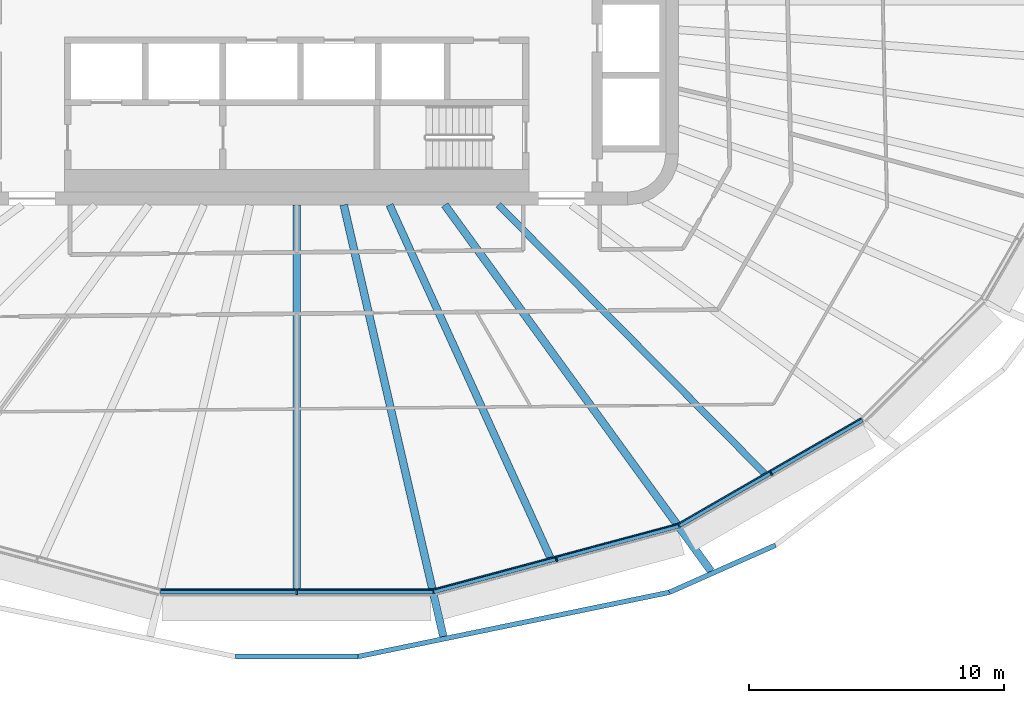
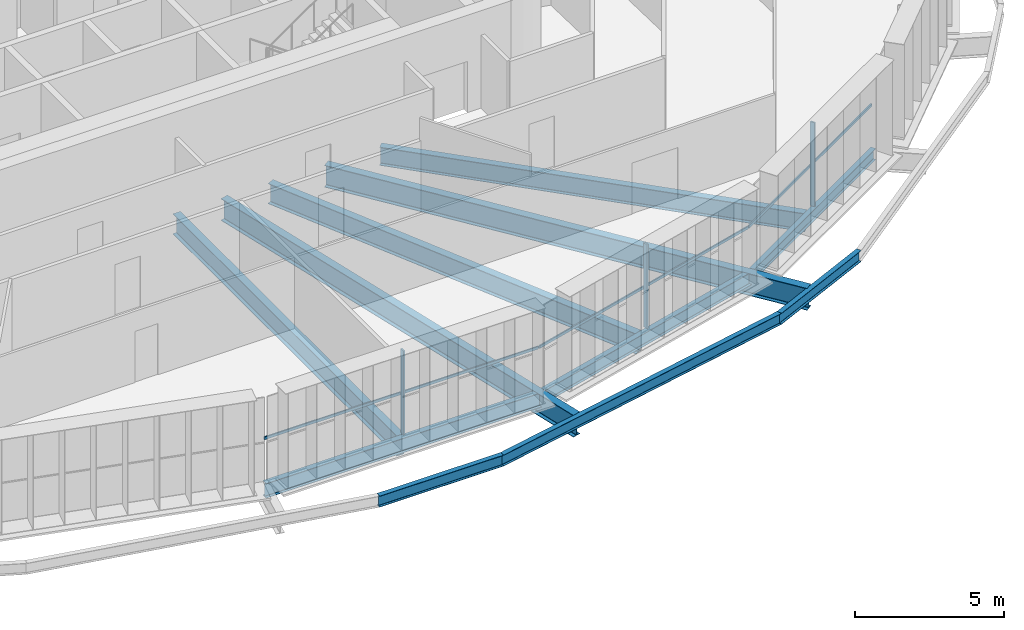
# One storey, part 3 of 22: 11 beams, 6 members, 3 elements without a shape of their own.
"""IFC4 building model written with IfcOpenShell, lengths in metres."""

from ifc_helpers import new_model, si_unit, direction, frame, origin, origin_2d, place, context, subcontext, project, spatial, rectangle, i_section, extrude, material, layer, layer_set, material_profile, profile_set, type_object, element, aggregate, save


model = new_model("IFC4")

# Units and contexts
model_context = context("Model", 3, precision=1e-05, world=origin(), true_north=direction((0.0, 1.0)))
body_context = subcontext(model_context, "Body", "Model", "MODEL_VIEW")
ifc_project = project(units=[si_unit("LENGTHUNIT", "METRE"), si_unit("AREAUNIT", "SQUARE_METRE"), si_unit("VOLUMEUNIT", "CUBIC_METRE"), si_unit("PLANEANGLEUNIT", "RADIAN"), si_unit("MASSUNIT", "GRAM", prefix="KILO")], contexts=[model_context])

# Site, building, storey
site_placement = place(None, origin())
site = spatial("IfcSite", under=ifc_project, at=site_placement, CompositionType="ELEMENT")
building_placement = place(site_placement, origin())
building = spatial("IfcBuilding", under=site, at=building_placement, Name="Sahrelin Media Tower", CompositionType="ELEMENT")
storey_placement = place(building_placement, frame((0.0, 0.0, 177.60009765625)))
storey = spatial("IfcBuildingStorey", under=building, at=storey_placement, Name="L37", CompositionType="ELEMENT", Elevation=177.60009765625)

# Beams
ifc_material_1 = material(Name="Steel S355", Category="steel")
ifc_material_profile_1 = material_profile(ifc_material_1, i_section(OverallWidth=0.1904296875, OverallDepth=0.45703125, WebThickness=0.009033203125, FlangeThickness=0.014404296875, FilletRadius=0.01025390625, at=origin_2d()), Name="UB 457x191x74")
ifc_profile_set_1 = profile_set([ifc_material_profile_1], Name="Steel S355")
beam_type_1 = type_object("IfcBeamType", Name="Edge beam EB5", PredefinedType="BEAM", material=ifc_profile_set_1)
beam_1_placement = place(storey_placement, frame((22.209716796875, -16.43310546875, -0.378662109375), z_axis=(-0.866025877972, -0.499999178681, 0.0), x_axis=(0.499999178681, -0.866025877972, 0.0)))
element("IfcBeam", 1, at=beam_1_placement, inside=storey, type_object=beam_type_1, Name="Edge beam L37-05", PredefinedType="BEAM", context=body_context, shape_type="SweptSolid", body=[
    extrude(i_section(OverallWidth=0.1904296875, OverallDepth=0.45703125, WebThickness=0.009033203125, FlangeThickness=0.014404296875, FilletRadius=0.01025390625, at=origin_2d()), origin(), (0.0, 0.0, 1.0), 8.298828125),
])
ifc_material_profile_2 = material_profile(ifc_material_1, i_section(OverallWidth=0.208740234375, OverallDepth=0.5283203125, WebThickness=0.009521484375, FlangeThickness=0.01318359375, FilletRadius=0.0126953125, at=origin_2d()), Name="UB 533x210x82")
ifc_profile_set_2 = profile_set([ifc_material_profile_2], Name="Steel S355")
beam_type_2 = type_object("IfcBeamType", Name="Edge beam EB6", PredefinedType="BEAM", material=ifc_profile_set_2)
beam_2_placement = place(storey_placement, frame((14.99609375, -20.593505859375, -0.414306640625), z_axis=(-0.96592704093, -0.258814511957, 0.0), x_axis=(0.258814511957, -0.96592704093, 0.0)))
element("IfcBeam", 2, at=beam_2_placement, inside=storey, type_object=beam_type_2, Name="Edge beam L37-06", PredefinedType="BEAM", context=body_context, shape_type="SweptSolid", body=[
    extrude(i_section(OverallWidth=0.208740234375, OverallDepth=0.5283203125, WebThickness=0.009521484375, FlangeThickness=0.01318359375, FilletRadius=0.0126953125, at=origin_2d()), origin(), (0.0, 0.0, 1.0), 9.95849609375),
])
ifc_material_profile_3 = material_profile(ifc_material_1, i_section(OverallWidth=0.2275390625, OverallDepth=0.6025390625, WebThickness=0.010498046875, FlangeThickness=0.014892578125, FilletRadius=0.0126953125, at=origin_2d()), Name="UB 610x229x101")
ifc_profile_set_3 = profile_set([ifc_material_profile_3], Name="Steel S355")
beam_type_3 = type_object("IfcBeamType", Name="Edge beam EB7", PredefinedType="BEAM", material=ifc_profile_set_3)
beam_3_placement = place(storey_placement, frame((5.348388671875, -23.1748046875, -0.451416015625), z_axis=(-1.0, 0.0, 0.0), x_axis=(0.0, -1.0, 0.0)))
element("IfcBeam", 3, at=beam_3_placement, inside=storey, type_object=beam_type_3, Name="Edge beam L37-07", PredefinedType="BEAM", context=body_context, shape_type="SweptSolid", body=[
    extrude(i_section(OverallWidth=0.2275390625, OverallDepth=0.6025390625, WebThickness=0.010498046875, FlangeThickness=0.014892578125, FilletRadius=0.0126953125, at=origin_2d()), origin(), (0.0, 0.0, 1.0), 10.69677734375),
])

# Curtain wall, member
ifc_material_2 = material(Name="Champagne anodised aluminium 6063-T6", Category="aluminium")
ifc_layer = layer(ifc_material_2, 0.14990234375)
ifc_layer_set = layer_set([ifc_layer], Name="Tower ribbon curtain wall")
curtain_wall_type = type_object("IfcCurtainWallType", Name="Tower ribbon curtain wall", PredefinedType="NOTDEFINED", material=ifc_layer_set)
curtain_wall_1_placement = place(storey_placement, frame((0.0, -23.32470703125, 0.0), z_axis=(0.0, 0.0, 1.0), x_axis=(1.0, 0.0, 0.0)))
curtain_wall_1 = element("IfcCurtainWall", 4, at=curtain_wall_1_placement, inside=storey, type_object=curtain_wall_type, Name="L37:CW:L37-18", PredefinedType="NOTDEFINED")
ifc_material_profile_4 = material_profile(ifc_material_2, rectangle(XDim=0.06005859375, YDim=0.175048828125, at=origin_2d()), Name="Mullion 60x175")
ifc_profile_set_4 = profile_set([ifc_material_profile_4], Name="Champagne anodised aluminium 6063-T6")
member_type_1 = type_object("IfcMemberType", Name="Mullion 60x175 CW1B", PredefinedType="MULLION", material=ifc_profile_set_4)
member_1_placement = place(storey_placement, frame((0.0, -23.21728515625, 0.0), z_axis=(0.0, 0.0, 1.0), x_axis=(1.0, 0.0, 0.0)))
member_1 = element("IfcMember", 5, at=member_1_placement, type_object=member_type_1, Name="L37:CWM:L37-18", PredefinedType="MULLION", context=body_context, shape_type="SweptSolid", body=[
    extrude(rectangle(XDim=0.06005859375, YDim=0.175048828125, at=origin_2d()), origin(), (0.0, 0.0, 1.0), 3.448486328125),
])

curtain_wall_2_placement = place(storey_placement, frame((10.22509765625, -22.027099609375, 0.0), z_axis=(0.0, 0.0, 1.0), x_axis=(1.0, 0.0, 0.0)))
curtain_wall_2 = element("IfcCurtainWall", 6, at=curtain_wall_2_placement, inside=storey, type_object=curtain_wall_type, Name="L37:CW:L37-19", PredefinedType="NOTDEFINED")
member_2_placement = place(storey_placement, frame((10.197509765625, -21.92333984375, 0.0), z_axis=(0.0, 0.0, 1.0), x_axis=(0.965927633163, 0.258812301662, 0.0)))
member_2 = element("IfcMember", 7, at=member_2_placement, type_object=member_type_1, Name="L37:CWM:L37-19", PredefinedType="MULLION", context=body_context, shape_type="SweptSolid", body=[
    extrude(rectangle(XDim=0.06005859375, YDim=0.175048828125, at=origin_2d()), origin(), (0.0, 0.0, 1.0), 3.448486328125),
])

curtain_wall_3_placement = place(storey_placement, frame((18.691162109375, -18.6376953125, 0.0), z_axis=(0.0, 0.0, 1.0), x_axis=(1.0, 0.0, 0.0)))
curtain_wall_3 = element("IfcCurtainWall", 8, at=curtain_wall_3_placement, inside=storey, type_object=curtain_wall_type, Name="L37:CW:L37-20", PredefinedType="NOTDEFINED")
member_3_placement = place(storey_placement, frame((18.637451171875, -18.544677734375, 0.0), z_axis=(0.0, 0.0, 1.0), x_axis=(0.866027149108, 0.499996976998, 0.0)))
member_3 = element("IfcMember", 9, at=member_3_placement, type_object=member_type_1, Name="L37:CWM:L37-20", PredefinedType="MULLION", context=body_context, shape_type="SweptSolid", body=[
    extrude(rectangle(XDim=0.06005859375, YDim=0.175048828125, at=origin_2d()), origin(), (0.0, 0.0, 1.0), 3.448486328125),
])

# Beams
ifc_material_profile_5 = material_profile(ifc_material_1, i_section(OverallWidth=0.30322265625, OverallDepth=0.903076171875, WebThickness=0.01513671875, FlangeThickness=0.020263671875, FilletRadius=0.01904296875, at=origin_2d()), Name="UB 914x305x201")
ifc_profile_set_5 = profile_set([ifc_material_profile_5], Name="Steel S355")
beam_type_4 = type_object("IfcBeamType", Name="Radial primary beam PB11", PredefinedType="BEAM", material=ifc_profile_set_5)
beam_4_placement = place(storey_placement, frame((1.84619140625, -8.0, -0.6015625), z_axis=(0.224860531753, -0.974390959143, 0.0), x_axis=(0.974390959143, 0.224860531753, 0.0)))
element("IfcBeam", 10, at=beam_4_placement, inside=storey, type_object=beam_type_4, Name="Radial beam L37-19", PredefinedType="BEAM", context=body_context, shape_type="SweptSolid", body=[
    extrude(i_section(OverallWidth=0.30322265625, OverallDepth=0.903076171875, WebThickness=0.01513671875, FlangeThickness=0.020263671875, FilletRadius=0.01904296875, at=origin_2d()), origin(), (0.0, 0.0, 1.0), 17.394775390625),
])
beam_5_placement = place(storey_placement, frame((5.81494140625, -8.0, -0.6015625), z_axis=(0.587965973152, -0.80888566214, 0.0), x_axis=(0.80888566214, 0.587965973152, 0.0)))
element("IfcBeam", 11, at=beam_5_placement, inside=storey, type_object=beam_type_4, Name="Radial beam L37-20", PredefinedType="BEAM", context=body_context, shape_type="SweptSolid", body=[
    extrude(i_section(OverallWidth=0.30322265625, OverallDepth=0.903076171875, WebThickness=0.01513671875, FlangeThickness=0.020263671875, FilletRadius=0.01904296875, at=origin_2d()), origin(), (0.0, 0.0, 1.0), 17.783447265625),
])
ifc_material_profile_6 = material_profile(ifc_material_1, i_section(OverallWidth=0.291748046875, OverallDepth=0.8349609375, WebThickness=0.013916015625, FlangeThickness=0.018798828125, FilletRadius=0.017822265625, at=origin_2d()), Name="UB 838x292x176")
ifc_profile_set_6 = profile_set([ifc_material_profile_6], Name="Steel S355")
beam_type_5 = type_object("IfcBeamType", Name="Radial secondary beam SB10", PredefinedType="BEAM", material=ifc_profile_set_6)
beam_6_placement = place(storey_placement, frame((0.0, -8.0, -0.567626953125), z_axis=(0.0, -1.0, 0.0), x_axis=(1.0, 0.0, 0.0)))
element("IfcBeam", 12, at=beam_6_placement, inside=storey, type_object=beam_type_5, Name="Secondary beam L37-14", PredefinedType="BEAM", context=body_context, shape_type="SweptSolid", body=[
    extrude(i_section(OverallWidth=0.291748046875, OverallDepth=0.8349609375, WebThickness=0.013916015625, FlangeThickness=0.018798828125, FilletRadius=0.017822265625, at=origin_2d()), origin(), (0.0, 0.0, 1.0), 15.060791015625),
])
beam_7_placement = place(storey_placement, frame((3.646484375, -8.0, -0.567626953125), z_axis=(0.414742623405, -0.909938765155, 0.0), x_axis=(0.909938765155, 0.414742623405, 0.0)))
element("IfcBeam", 13, at=beam_7_placement, inside=storey, type_object=beam_type_5, Name="Secondary beam L37-15", PredefinedType="BEAM", context=body_context, shape_type="SweptSolid", body=[
    extrude(i_section(OverallWidth=0.291748046875, OverallDepth=0.8349609375, WebThickness=0.013916015625, FlangeThickness=0.018798828125, FilletRadius=0.017822265625, at=origin_2d()), origin(), (0.0, 0.0, 1.0), 15.2060546875),
])
ifc_material_profile_7 = material_profile(ifc_material_1, i_section(OverallWidth=0.26513671875, OverallDepth=0.75390625, WebThickness=0.0126953125, FlangeThickness=0.017578125, FilletRadius=0.0166015625, at=origin_2d()), Name="UB 762x267x147")
ifc_profile_set_7 = profile_set([ifc_material_profile_7], Name="Steel S355")
beam_type_6 = type_object("IfcBeamType", Name="Radial secondary beam SB9", PredefinedType="BEAM", material=ifc_profile_set_7)
beam_8_placement = place(storey_placement, frame((7.92431640625, -8.0, -0.527099609375), z_axis=(0.703742333182, -0.710455296615, 0.0), x_axis=(0.710455296615, 0.703742333182, 0.0)))
element("IfcBeam", 14, at=beam_8_placement, inside=storey, type_object=beam_type_6, Name="Secondary beam L37-16", PredefinedType="BEAM", context=body_context, shape_type="SweptSolid", body=[
    extrude(i_section(OverallWidth=0.26513671875, OverallDepth=0.75390625, WebThickness=0.0126953125, FlangeThickness=0.017578125, FilletRadius=0.0166015625, at=origin_2d()), origin(), (0.0, 0.0, 1.0), 14.83837890625),
])
ifc_material_profile_8 = material_profile(ifc_material_1, i_section(OverallWidth=0.1904296875, OverallDepth=0.45703125, WebThickness=0.009033203125, FlangeThickness=0.014404296875, FilletRadius=0.01025390625, at=origin_2d()), Name="UB 457x191x74")
ifc_profile_set_8 = profile_set([ifc_material_profile_8], Name="Steel S355")
beam_type_7 = type_object("IfcBeamType", Name="Tie chord TC5", PredefinedType="BEAM", material=ifc_profile_set_8)
beam_9_placement = place(storey_placement, frame((-2.40478515625, -25.73779296875, -0.378662109375), z_axis=(1.0, 0.0, 0.0), x_axis=(0.0, 1.0, 0.0)))
element("IfcBeam", 15, at=beam_9_placement, inside=storey, type_object=beam_type_7, Name="Tie chord L37-18", PredefinedType="BEAM", context=body_context, shape_type="SweptSolid", body=[
    extrude(i_section(OverallWidth=0.1904296875, OverallDepth=0.45703125, WebThickness=0.009033203125, FlangeThickness=0.014404296875, FilletRadius=0.01025390625, at=origin_2d()), origin(), (0.0, 0.0, 1.0), 4.8095703125),
])
beam_10_placement = place(storey_placement, frame((2.40478515625, -25.73779296875, -0.378662109375), z_axis=(0.979388741221, 0.201984389419, 0.0), x_axis=(-0.201984389419, 0.979388741221, 0.0)))
element("IfcBeam", 16, at=beam_10_placement, inside=storey, type_object=beam_type_7, Name="Tie chord L37-19", PredefinedType="BEAM", context=body_context, shape_type="SweptSolid", body=[
    extrude(i_section(OverallWidth=0.1904296875, OverallDepth=0.45703125, WebThickness=0.009033203125, FlangeThickness=0.014404296875, FilletRadius=0.01025390625, at=origin_2d()), origin(), (0.0, 0.0, 1.0), 12.489501953125),
])
beam_11_placement = place(storey_placement, frame((14.636962890625, -23.215087890625, -0.378662109375), z_axis=(0.913835844961, 0.40608379488, 0.0), x_axis=(-0.40608379488, 0.913835844961, 0.0)))
element("IfcBeam", 17, at=beam_11_placement, inside=storey, type_object=beam_type_7, Name="Tie chord L37-20", PredefinedType="BEAM", context=body_context, shape_type="SweptSolid", body=[
    extrude(i_section(OverallWidth=0.1904296875, OverallDepth=0.45703125, WebThickness=0.009033203125, FlangeThickness=0.014404296875, FilletRadius=0.01025390625, at=origin_2d()), origin(), (0.0, 0.0, 1.0), 4.557861328125),
])

# Member
ifc_material_profile_9 = material_profile(ifc_material_2, rectangle(XDim=0.050048828125, YDim=0.110107421875, at=origin_2d()), Name="Transom 50x110")
ifc_profile_set_9 = profile_set([ifc_material_profile_9], Name="Champagne anodised aluminium 6063-T6")
member_type_2 = type_object("IfcMemberType", Name="Transom 50x110 CW1B", PredefinedType="USERDEFINED", material=ifc_profile_set_9)
member_4_placement = place(storey_placement, frame((-5.33251953125, -23.104736328125, 1.599853515625), z_axis=(1.0, 0.0, 0.0), x_axis=(0.0, 1.0, 0.0)))
member_4 = element("IfcMember", 18, at=member_4_placement, type_object=member_type_2, Name="L37:CWT:L37-18", ObjectType="TRANSOM", PredefinedType="USERDEFINED", context=body_context, shape_type="SweptSolid", body=[
    extrude(rectangle(XDim=0.050048828125, YDim=0.110107421875, at=origin_2d()), origin(), (0.0, 0.0, 1.0), 10.6650390625),
])

aggregate(curtain_wall_1, [member_1, member_4])

member_5_placement = place(storey_placement, frame((5.3740234375, -23.099365234375, 1.599853515625), z_axis=(0.965924009595, 0.258825825003, 0.0), x_axis=(-0.258825825003, 0.965924009595, 0.0)))
member_5 = element("IfcMember", 19, at=member_5_placement, type_object=member_type_2, Name="L37:CWT:L37-19", ObjectType="TRANSOM", PredefinedType="USERDEFINED", context=body_context, shape_type="SweptSolid", body=[
    extrude(rectangle(XDim=0.050048828125, YDim=0.110107421875, at=origin_2d()), origin(), (0.0, 0.0, 1.0), 9.927001953125),
])

aggregate(curtain_wall_2, [member_2, member_5])

member_6_placement = place(storey_placement, frame((15.001220703125, -20.51416015625, 1.599853515625), z_axis=(0.866024781634, 0.500001077595, 0.0), x_axis=(-0.500001077595, 0.866024781634, 0.0)))
member_6 = element("IfcMember", 20, at=member_6_placement, type_object=member_type_2, Name="L37:CWT:L37-20", ObjectType="TRANSOM", PredefinedType="USERDEFINED", context=body_context, shape_type="SweptSolid", body=[
    extrude(rectangle(XDim=0.050048828125, YDim=0.110107421875, at=origin_2d()), origin(), (0.0, 0.0, 1.0), 8.267578125),
])

aggregate(curtain_wall_3, [member_3, member_6])

save(model, "model.ifc")
